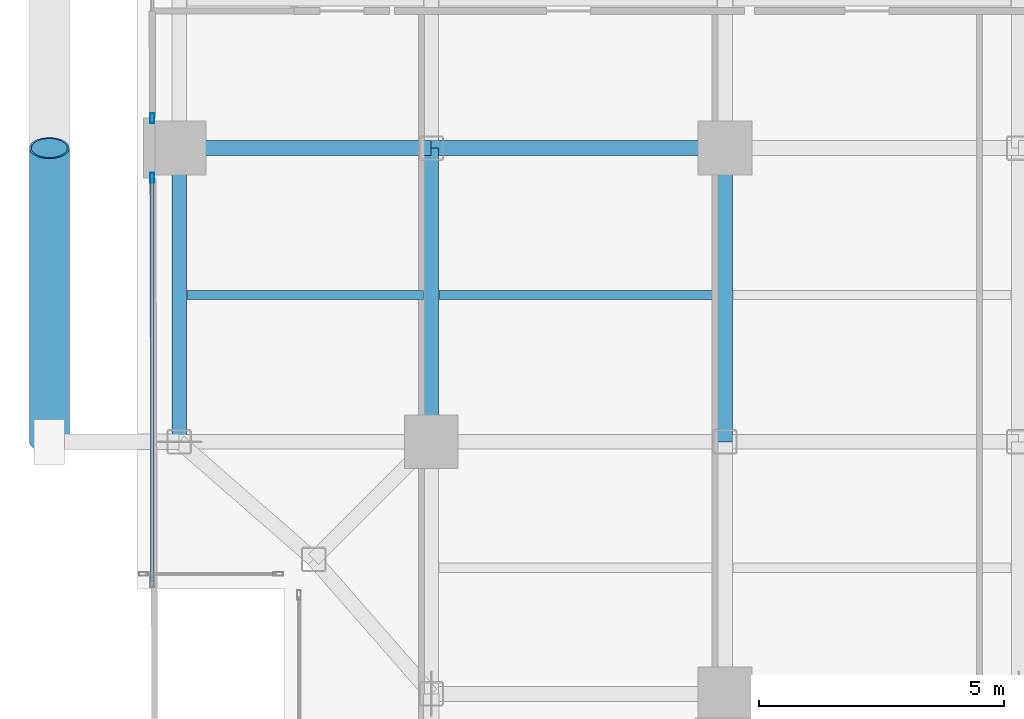
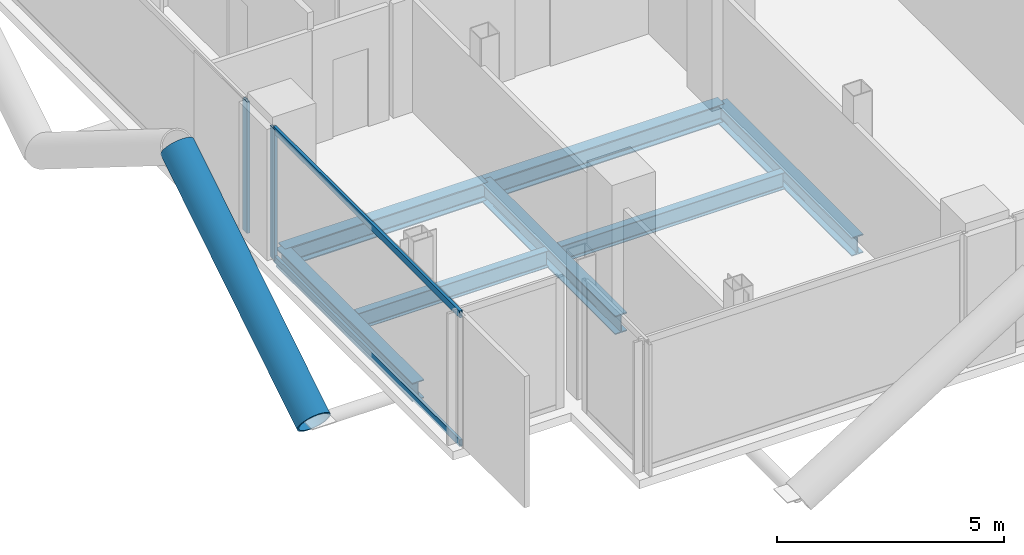
# One storey, part 3 of 28: 7 beams, 5 members, 2 elements without a shape of their own.
"""IFC4 building model written with IfcOpenShell, lengths in metres."""

from ifc_helpers import new_model, si_unit, direction, frame, origin, origin_2d, place, context, subcontext, project, spatial, hollow_rectangle, hollow_circle, i_section, extrude, material, layer, layer_set, material_profile, profile_set, type_object, element, aggregate, save


model = new_model("IFC4")

# Units and contexts
model_context = context("Model", 3, precision=1e-05, world=origin(), true_north=direction((0.0, 1.0)))
body_context = subcontext(model_context, "Body", "Model", "MODEL_VIEW")
ifc_project = project(units=[si_unit("LENGTHUNIT", "METRE"), si_unit("AREAUNIT", "SQUARE_METRE"), si_unit("VOLUMEUNIT", "CUBIC_METRE"), si_unit("PLANEANGLEUNIT", "RADIAN"), si_unit("MASSUNIT", "GRAM", prefix="KILO"), si_unit("THERMODYNAMICTEMPERATUREUNIT", "KELVIN"), si_unit("POWERUNIT", "WATT")], contexts=[model_context])

# Site, building, storey
site_placement = place(None, origin())
site = spatial("IfcSite", under=ifc_project, at=site_placement, CompositionType="ELEMENT")
building_placement = place(site_placement, origin())
building = spatial("IfcBuilding", under=site, at=building_placement, Name="Svarakhadi Broadcast Tower", CompositionType="ELEMENT")
storey_placement = place(building_placement, frame((0.0, 0.0, 103.35009765625)))
storey = spatial("IfcBuildingStorey", under=building, at=storey_placement, Name="L24", CompositionType="ELEMENT", Elevation=103.35009765625)

# Beams
ifc_material_1 = material(Name="Steel S355J2 (IS 2062 E350C)", Category="steel")
ifc_material_profile_1 = material_profile(ifc_material_1, i_section(OverallWidth=0.18994140625, OverallDepth=0.449951171875, WebThickness=0.009521484375, FlangeThickness=0.0146484375, FilletRadius=0.02099609375, at=origin_2d()), Name="NPB 450x190x78")
ifc_profile_set_1 = profile_set([ifc_material_profile_1], Name="Steel S355J2 (IS 2062 E350C)")
beam_type_1 = type_object("IfcBeamType", Name="Beam_NPB450", PredefinedType="BEAM", material=ifc_profile_set_1)
beam_1_placement = place(storey_placement, frame((1.010009765625, 9.0, -0.4501953125), z_axis=(1.0, 0.0, 0.0), x_axis=(0.0, 1.0, 0.0)))
element("IfcBeam", 1, at=beam_1_placement, inside=storey, type_object=beam_type_1, Name="L24 Secondary Composite Beam SB001", PredefinedType="BEAM", context=body_context, shape_type="SweptSolid", body=[
    extrude(i_section(OverallWidth=0.18994140625, OverallDepth=0.449951171875, WebThickness=0.009521484375, FlangeThickness=0.0146484375, FilletRadius=0.02099609375, at=origin_2d()), origin(), (0.0, 0.0, 1.0), 4.830078125),
])
beam_2_placement = place(storey_placement, frame((6.159912109375, 9.0, -0.4501953125), z_axis=(1.0, 0.0, 0.0), x_axis=(0.0, 1.0, 0.0)))
element("IfcBeam", 2, at=beam_2_placement, inside=storey, type_object=beam_type_1, Name="L24 Secondary Composite Beam SB007", PredefinedType="BEAM", context=body_context, shape_type="SweptSolid", body=[
    extrude(i_section(OverallWidth=0.18994140625, OverallDepth=0.449951171875, WebThickness=0.009521484375, FlangeThickness=0.0146484375, FilletRadius=0.02099609375, at=origin_2d()), origin(), (0.0, 0.0, 1.0), 5.68017578125),
])

# Curtain wall, member
ifc_material_2 = material(Name="Anodised Bronze Aluminium AA 6063-T6", Category="aluminium")
ifc_layer = layer(ifc_material_2, 0.199951171875)
ifc_layer_set = layer_set([ifc_layer], Name="Anodised Bronze Aluminium AA 6063-T6")
curtain_wall_type = type_object("IfcCurtainWallType", Name="CW_Sys_03", PredefinedType="NOTDEFINED", material=ifc_layer_set)
curtain_wall_1_placement = place(storey_placement, origin())
curtain_wall_1 = element("IfcCurtainWall", 3, at=curtain_wall_1_placement, inside=storey, type_object=curtain_wall_type, Name="L24 West Curtain Wall 02 Bay 1", PredefinedType="NOTDEFINED")
ifc_material_profile_2 = material_profile(ifc_material_2, hollow_rectangle(XDim=0.074951171875, YDim=0.199951171875, WallThickness=0.005615234375, at=origin_2d()), Name="ALU MULLION 200x75x6")
ifc_profile_set_2 = profile_set([ifc_material_profile_2], Name="Anodised Bronze Aluminium AA 6063-T6")
member_type_1 = type_object("IfcMemberType", Name="CW_Sys_03_Mul", PredefinedType="MULLION", material=ifc_profile_set_2)
member_1_placement = place(storey_placement, frame((0.300048828125, 11.392578125, 0.0), z_axis=(0.0, 0.0, 1.0), x_axis=(-1.0, 0.0, 0.0)))
member_1 = element("IfcMember", 4, at=member_1_placement, type_object=member_type_1, Name="CW-03 mullion 2", PredefinedType="MULLION", context=body_context, shape_type="SweptSolid", body=[
    extrude(hollow_rectangle(XDim=0.074951171875, YDim=0.199951171875, WallThickness=0.005615234375, at=origin_2d()), origin(), (0.0, 0.0, 1.0), 3.52490234375),
])

curtain_wall_2_placement = place(storey_placement, origin())
curtain_wall_2 = element("IfcCurtainWall", 5, at=curtain_wall_2_placement, inside=storey, type_object=curtain_wall_type, Name="L24 West Curtain Wall 02 Bay 2", PredefinedType="NOTDEFINED")
member_2_placement = place(storey_placement, frame((0.300048828125, 12.607421875, 0.0), z_axis=(0.0, 0.0, 1.0), x_axis=(-1.0, 0.0, 0.0)))
member_2 = element("IfcMember", 6, at=member_2_placement, type_object=member_type_1, Name="CW-03 mullion 1", PredefinedType="MULLION", context=body_context, shape_type="SweptSolid", body=[
    extrude(hollow_rectangle(XDim=0.074951171875, YDim=0.199951171875, WallThickness=0.005615234375, at=origin_2d()), origin(), (0.0, 0.0, 1.0), 3.52490234375),
])
aggregate(curtain_wall_2, [member_2])

# Member
ifc_material_profile_3 = material_profile(ifc_material_2, hollow_rectangle(XDim=0.070068359375, YDim=0.18505859375, WallThickness=0.0048828125, at=origin_2d()), Name="ALU TRANSOM 185x70x5")
ifc_profile_set_3 = profile_set([ifc_material_profile_3], Name="Anodised Bronze Aluminium AA 6063-T6")
member_type_2 = type_object("IfcMemberType", Name="CW_Sys_03_Trn", PredefinedType="USERDEFINED", material=ifc_profile_set_3)
member_3_placement = place(storey_placement, frame((0.300048828125, 3.1650390625, 0.034912109375), z_axis=(0.0, 1.0, 0.0), x_axis=(-1.0, 0.0, 0.0)))
member_3 = element("IfcMember", 7, at=member_3_placement, type_object=member_type_2, Name="CW-03 transom 1.1", ObjectType="TRANSOM", PredefinedType="USERDEFINED", context=body_context, shape_type="SweptSolid", body=[
    extrude(hollow_rectangle(XDim=0.070068359375, YDim=0.18505859375, WallThickness=0.0048828125, at=origin_2d()), origin(), (0.0, 0.0, 1.0), 8.18994140625),
])

member_4_placement = place(storey_placement, frame((0.300048828125, 3.1650390625, 3.489990234375), z_axis=(0.0, 1.0, 0.0), x_axis=(-1.0, 0.0, 0.0)))
member_4 = element("IfcMember", 8, at=member_4_placement, type_object=member_type_2, Name="CW-03 transom 1.2", ObjectType="TRANSOM", PredefinedType="USERDEFINED", context=body_context, shape_type="SweptSolid", body=[
    extrude(hollow_rectangle(XDim=0.070068359375, YDim=0.18505859375, WallThickness=0.0048828125, at=origin_2d()), origin(), (0.0, 0.0, 1.0), 8.18994140625),
])

aggregate(curtain_wall_1, [member_1, member_3, member_4])

ifc_material_3 = material(Name="Steel S460ML (IS 2062 E450BR)", Category="steel")
ifc_material_profile_4 = material_profile(ifc_material_3, hollow_circle(Radius=0.406494140625, WallThickness=0.0400390625, at=origin_2d()), Name="CHS 813x40")
ifc_profile_set_4 = profile_set([ifc_material_profile_4], Name="Steel S460ML (IS 2062 E450BR)")
member_type_3 = type_object("IfcMemberType", Name="Exo_Brace_CHS813", PredefinedType="BRACE", material=ifc_profile_set_4)
member_5_placement = place(storey_placement, frame((-1.800048828125, 6.0, -0.386962890625), z_axis=(0.0, 0.847998304005, 0.529998940003), x_axis=(-1.0, 0.0, 0.0)))
element("IfcMember", 9, at=member_5_placement, inside=storey, type_object=member_type_3, Name="L24 Exposed Bronze Exoskeleton Diagonal W05", PredefinedType="BRACE", context=body_context, shape_type="SweptSolid", body=[
    extrude(hollow_circle(Radius=0.406494140625, WallThickness=0.0400390625, at=origin_2d()), origin(), (0.0, 0.0, 1.0), 7.075439453125),
])

# Beams
ifc_material_profile_5 = material_profile(ifc_material_1, i_section(OverallWidth=0.300048828125, OverallDepth=0.5, WebThickness=0.014404296875, FlangeThickness=0.028076171875, FilletRadius=0.027099609375, at=origin_2d()), Name="WPB 500x300x187")
ifc_profile_set_5 = profile_set([ifc_material_profile_5], Name="Steel S355J2 (IS 2062 E350C)")
beam_type_2 = type_object("IfcBeamType", Name="Girder_WPB500", PredefinedType="USERDEFINED", material=ifc_profile_set_5)
beam_3_placement = place(storey_placement, frame((0.85009765625, 12.0, -0.47509765625), z_axis=(1.0, 0.0, 0.0), x_axis=(0.0, 1.0, 0.0)))
element("IfcBeam", 10, at=beam_3_placement, inside=storey, type_object=beam_type_2, Name="L24 Primary E-W Girder G017", ObjectType="GIRDER", PredefinedType="USERDEFINED", context=body_context, shape_type="SweptSolid", body=[
    extrude(i_section(OverallWidth=0.300048828125, OverallDepth=0.5, WebThickness=0.014404296875, FlangeThickness=0.028076171875, FilletRadius=0.027099609375, at=origin_2d()), origin(), (0.0, 0.0, 1.0), 5.14990234375),
])
for number, where, z_axis, x_axis, name in (
    (11, (6.0, 12.0, -0.47509765625), (1.0, 0.0, 0.0), (0.0, 1.0, 0.0), "L24 Primary E-W Girder G018"),
    (12, (0.85009765625, 6.0, -0.47509765625), (0.0, 1.0, 0.0), (-1.0, 0.0, 0.0), "L24 Primary N-S Girder G040"),
    (13, (6.0, 6.0, -0.47509765625), (0.0, 1.0, 0.0), (-1.0, 0.0, 0.0), "L24 Primary N-S Girder G046"),
    (14, (12.0, 6.0, -0.47509765625), (0.0, 1.0, 0.0), (-1.0, 0.0, 0.0), "L24 Primary N-S Girder G052"),
):
    element("IfcBeam", number, at=place(storey_placement, frame(where, z_axis=z_axis, x_axis=x_axis)), inside=storey, type_object=beam_type_2, Name=name, ObjectType="GIRDER", PredefinedType="USERDEFINED", context=body_context, shape_type="SweptSolid", body=[
        extrude(i_section(OverallWidth=0.300048828125, OverallDepth=0.5, WebThickness=0.014404296875, FlangeThickness=0.028076171875, FilletRadius=0.027099609375, at=origin_2d()), origin(), (0.0, 0.0, 1.0), 6.0),
    ])

save(model, "model.ifc")
